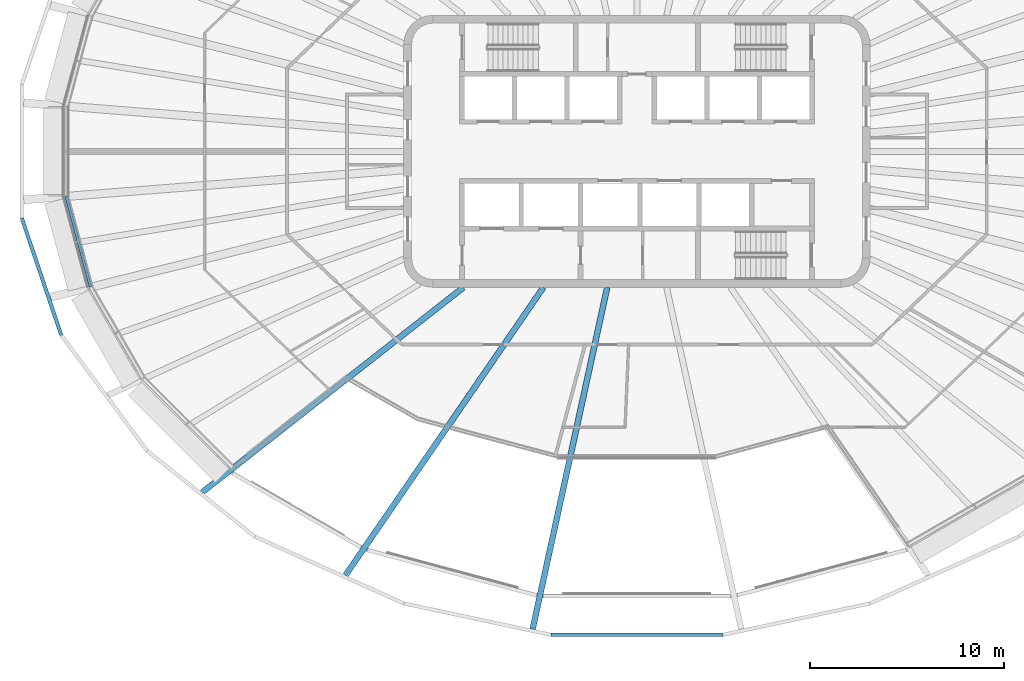
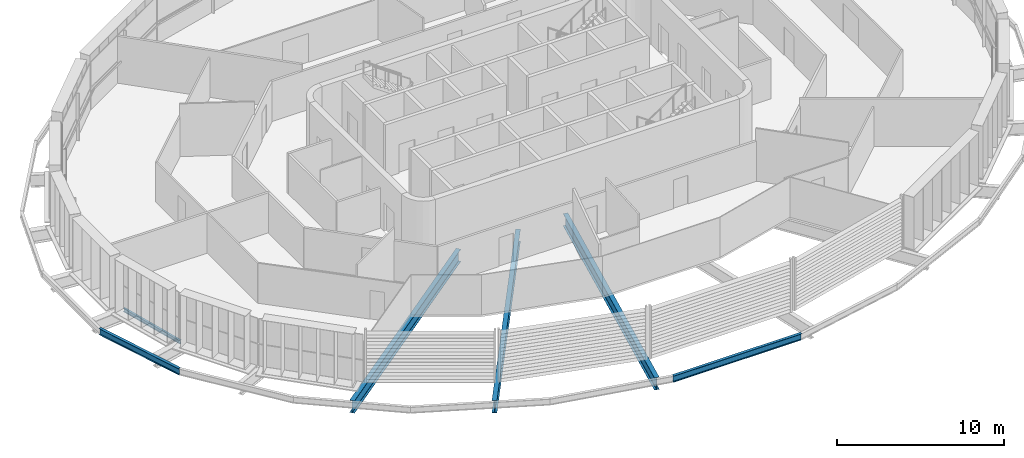
# One storey, part 2 of 19: 6 beams.
"""IFC4 building model written with IfcOpenShell, lengths in metres."""

import ifcopenshell
import ifcopenshell.guid

model = None  # the IFC model being written
_history = None  # IfcOwnerHistory: only IFC2X3 demands one
_inside = {}  # id of a spatial element -> (the spatial element, [elements in it])
_under = {}  # id of a project, library or spatial element -> (it, [spatial elements below it])
_declared = {}  # id of a project -> (the project, [libraries it declares])
_typed = {}  # id of a type object -> (the type object, [elements of that type])
_made_of = {}  # id of a material, layer set ... -> (it, [elements and type objects made of it])


def new_model(schema):
    """Start an empty IFC model of exactly this schema.

    Asked for "IFC4X3", IfcOpenShell would pick the latest addendum, in which some entities
    have other attributes; the version numbers below select the first issue.
    IFC2X3 requires an IfcOwnerHistory on every rooted entity: one is made here for all.
    """
    global model, _history
    if schema == "IFC4X3":
        model = ifcopenshell.file(schema_version=(4, 3, 0, 0))
    else:
        model = ifcopenshell.file(schema=schema)
    _inside.clear()
    _under.clear()
    _declared.clear()
    _typed.clear()
    _made_of.clear()
    _history = None
    if model.schema == "IFC2X3":
        org = make("IfcOrganization", Name="unknown")
        user = make(
            "IfcPersonAndOrganization",
            ThePerson=make("IfcPerson", FamilyName="unknown"),
            TheOrganization=org,
        )
        app = make(
            "IfcApplication",
            ApplicationDeveloper=org,
            Version="unknown",
            ApplicationFullName="unknown",
            ApplicationIdentifier="unknown",
        )
        _history = make(
            "IfcOwnerHistory",
            OwningUser=user,
            OwningApplication=app,
            ChangeAction="ADDED",
            CreationDate=0,
        )
    return model


def make(cls, **values):
    """One entity of the class cls with the attributes given. An attribute that is None is left unset."""
    return model.create_entity(
        cls, **{name: value for name, value in values.items() if value is not None}
    )


def rooted(cls, **values):
    """An entity with a GlobalId (a new one), such as an element, a storey or a relation."""
    return make(cls, GlobalId=ifcopenshell.guid.new(), OwnerHistory=_history, **values)


def si_unit(unit_type, name, prefix=None):
    """IfcSIUnit, for example si_unit("LENGTHUNIT", "METRE", prefix="MILLI")."""
    return make("IfcSIUnit", UnitType=unit_type, Prefix=prefix, Name=name)


def assignment(units):
    """IfcUnitAssignment: the units of a project."""
    return None if units is None else make("IfcUnitAssignment", Units=units)


def point(xyz):
    """IfcCartesianPoint."""
    return None if xyz is None else make("IfcCartesianPoint", Coordinates=xyz)


def direction(xyz):
    """IfcDirection."""
    return None if xyz is None else make("IfcDirection", DirectionRatios=xyz)


def frame(location, z_axis=None, x_axis=None):
    """IfcAxis2Placement3D, a coordinate frame: its origin and axes. An axis left out is left unset."""
    return make(
        "IfcAxis2Placement3D",
        Location=point(location),
        Axis=direction(z_axis),
        RefDirection=direction(x_axis),
    )


def frame_2d(location, x_axis=None):
    """IfcAxis2Placement2D, a coordinate frame in the plane: its origin and x axis."""
    return make(
        "IfcAxis2Placement2D", Location=point(location), RefDirection=direction(x_axis)
    )


def origin():
    """The frame at (0, 0, 0) with its axes left unset."""
    return frame((0.0, 0.0, 0.0))


def origin_2d():
    """The frame at (0, 0) in the plane with its x axis left unset."""
    return frame_2d((0.0, 0.0))


def place(relative_to, where):
    """IfcLocalPlacement: puts the frame where relative to a parent placement (None: the world)."""
    return make(
        "IfcLocalPlacement", PlacementRelTo=relative_to, RelativePlacement=where
    )


def context(
    kind, dimensions, precision=None, world=None, true_north=None, identifier=None
):
    """IfcGeometricRepresentationContext, for example the 3D "Model" context."""
    return make(
        "IfcGeometricRepresentationContext",
        ContextIdentifier=identifier,
        ContextType=kind,
        CoordinateSpaceDimension=dimensions,
        Precision=precision,
        WorldCoordinateSystem=world,
        TrueNorth=true_north,
    )


def subcontext(parent, identifier, kind, view, scale=None):
    """IfcGeometricRepresentationSubContext, for example "Body" below "Model"."""
    return make(
        "IfcGeometricRepresentationSubContext",
        ContextIdentifier=identifier,
        ContextType=kind,
        ParentContext=parent,
        TargetScale=scale,
        TargetView=view,
    )


def project(units=None, contexts=None):
    """IfcProject with its units and contexts."""
    return rooted(
        "IfcProject",
        Name="project",
        RepresentationContexts=contexts,
        UnitsInContext=assignment(units),
    )


def spatial(cls, under=None, at=None, **own):
    """A site, building, storey or space (cls), placed at a placement, below another one or the project."""
    s = rooted(cls, ObjectPlacement=at, **own)
    if under is not None:
        _under.setdefault(under.id(), (under, []))[1].append(s)
    return s


def profile(cls, at=None, kind="AREA", **sizes):
    """A parametric profile (cls). Its sizes go by their IFC names, for example OverallWidth=200.0."""
    return make(cls, ProfileType=kind, Position=at, **sizes)


def i_section(**sizes):
    """IfcIShapeProfileDef."""
    return profile("IfcIShapeProfileDef", **sizes)


def extrude(swept, where, along, depth):
    """IfcExtrudedAreaSolid: the profile swept, set in the frame where, extruded along a direction by depth."""
    return make(
        "IfcExtrudedAreaSolid",
        SweptArea=swept,
        Position=where,
        ExtrudedDirection=direction(along),
        Depth=depth,
    )


def shape(context_of_items, identifier, shape_type, items):
    """IfcShapeRepresentation: the items that make up one representation, for example the "Body"."""
    return make(
        "IfcShapeRepresentation",
        ContextOfItems=context_of_items,
        RepresentationIdentifier=identifier,
        RepresentationType=shape_type,
        Items=items,
    )


def material(Name=None, Category=None):
    """IfcMaterial."""
    return make("IfcMaterial", Name=Name, Category=Category)


def material_profile(
    of_material, cross_section, Name=None, Category=None, Priority=None
):
    """IfcMaterialProfile: a cross section and its material."""
    return make(
        "IfcMaterialProfile",
        Name=Name,
        Material=of_material,
        Profile=cross_section,
        Priority=Priority,
        Category=Category,
    )


def profile_set(profiles, Name=None, composite=None):
    """IfcMaterialProfileSet."""
    return make(
        "IfcMaterialProfileSet",
        Name=Name,
        MaterialProfiles=profiles,
        CompositeProfile=composite,
    )


def made_of(thing, what):
    """Note that an element or type object is made of a material, layer set ...; save() writes the relation."""
    if what is not None:
        _made_of.setdefault(what.id(), (what, []))[1].append(thing)
    return thing


def type_object(cls, material=None, **own):
    """A type object (cls), such as IfcWallType, which elements share."""
    return made_of(rooted(cls, **own), material)


def element(
    cls,
    number,
    at=None,
    inside=None,
    cuts=None,
    type_object=None,
    material=None,
    context=None,
    identifier="Body",
    shape_type=None,
    held_by="IfcProductDefinitionShape",
    body=None,
    shapes=None,
    **own,
):
    """One element of the class cls, such as IfcWall. Its Tag is "e" and its number.

    at: its placement. inside: the storey or other place that contains it. cuts: it is an
    opening in that element (IfcRelVoidsElement). A single representation is given by context,
    identifier, shape_type and body (its items); several are given by shapes. held_by: the class
    of the entity that holds the representations. save() writes the other relations.
    """
    e = rooted(cls, Tag="e%d" % number, ObjectPlacement=at, **own)
    if body is not None:
        shapes = [shape(context, identifier, shape_type, body)]
    if shapes is not None:
        e.Representation = make(held_by, Representations=shapes)
    if inside is not None:
        _inside.setdefault(inside.id(), (inside, []))[1].append(e)
    if cuts is not None:
        rooted(
            "IfcRelVoidsElement", RelatingBuildingElement=cuts, RelatedOpeningElement=e
        )
    if type_object is not None:
        _typed.setdefault(type_object.id(), (type_object, []))[1].append(e)
    return made_of(e, material)


def aggregate(whole, parts):
    """IfcRelAggregates: a whole, such as a stair, and the parts it consists of."""
    return rooted("IfcRelAggregates", RelatingObject=whole, RelatedObjects=parts)


def save(model, path):
    """Write the relations noted so far, then the file.

    IfcRelAggregates (storeys below a building ...), IfcRelContainedInSpatialStructure (elements
    in a storey), IfcRelDefinesByType, IfcRelAssociatesMaterial and IfcRelDeclares: one each for
    every whole, place, type object, material and project.
    """
    for whole, parts in _under.values():
        aggregate(whole, parts)
    for where, things in _inside.values():
        rooted(
            "IfcRelContainedInSpatialStructure",
            RelatedElements=things,
            RelatingStructure=where,
        )
    for kind, things in _typed.values():
        rooted("IfcRelDefinesByType", RelatedObjects=things, RelatingType=kind)
    for what, things in _made_of.values():
        rooted("IfcRelAssociatesMaterial", RelatedObjects=things, RelatingMaterial=what)
    for by, libraries in _declared.values():
        rooted("IfcRelDeclares", RelatingContext=by, RelatedDefinitions=libraries)
    model.write(path)


model = new_model("IFC4")

# Units and contexts
model_context = context("Model", 3, precision=1e-05, world=origin(), true_north=direction((0.0, 1.0)))
body_context = subcontext(model_context, "Body", "Model", "MODEL_VIEW")
ifc_project = project(units=[si_unit("LENGTHUNIT", "METRE"), si_unit("AREAUNIT", "SQUARE_METRE"), si_unit("VOLUMEUNIT", "CUBIC_METRE"), si_unit("PLANEANGLEUNIT", "RADIAN"), si_unit("MASSUNIT", "GRAM", prefix="KILO")], contexts=[model_context])

# Site, building, storey
site_placement = place(None, origin())
site = spatial("IfcSite", under=ifc_project, at=site_placement, CompositionType="ELEMENT")
building_placement = place(site_placement, origin())
building = spatial("IfcBuilding", under=site, at=building_placement, Name="Sahrelin Media Tower", CompositionType="ELEMENT")
storey_placement = place(building_placement, frame((0.0, 0.0, 275.0)))
storey = spatial("IfcBuildingStorey", under=building, at=storey_placement, Name="L60", CompositionType="ELEMENT", Elevation=275.0)

# Beams
ifc_material = material(Name="Steel S355", Category="steel")
ifc_material_profile_1 = material_profile(ifc_material, i_section(OverallWidth=0.14599609375, OverallDepth=0.25146484375, WebThickness=0.006103515625, FlangeThickness=0.008544921875, FilletRadius=0.007568359375, at=origin_2d()), Name="UB 254x146x31")
ifc_profile_set_1 = profile_set([ifc_material_profile_1], Name="Steel S355")
beam_type_1 = type_object("IfcBeamType", Name="Edge beam EB1", PredefinedType="BEAM", material=ifc_profile_set_1)
beam_1_placement = place(storey_placement, frame((-28.119384765625, -6.9580078125, -0.275634765625), z_axis=(-0.258809906332, 0.965928274969, 0.0), x_axis=(-0.965928274969, -0.258809906332, 0.0)))
element("IfcBeam", 1, at=beam_1_placement, inside=storey, type_object=beam_type_1, Name="Edge beam L60-08", PredefinedType="BEAM", context=body_context, shape_type="SweptSolid", body=[
    extrude(i_section(OverallWidth=0.14599609375, OverallDepth=0.25146484375, WebThickness=0.006103515625, FlangeThickness=0.008544921875, FilletRadius=0.007568359375, at=origin_2d()), origin(), (0.0, 0.0, 1.0), 4.7939453125),
])
ifc_material_profile_2 = material_profile(ifc_material, i_section(OverallWidth=0.30322265625, OverallDepth=0.903076171875, WebThickness=0.01513671875, FlangeThickness=0.020263671875, FilletRadius=0.01904296875, at=origin_2d()), Name="UB 914x305x201")
ifc_profile_set_2 = profile_set([ifc_material_profile_2], Name="Steel S355")
beam_type_2 = type_object("IfcBeamType", Name="Radial primary beam PB11", PredefinedType="BEAM", material=ifc_profile_set_2)
beam_2_placement = place(storey_placement, frame((-8.925537109375, -7.0, -0.6015625), z_axis=(-0.786867836982, -0.617121549716, 0.0), x_axis=(0.617121549716, -0.786867836982, 0.0)))
element("IfcBeam", 2, at=beam_2_placement, inside=storey, type_object=beam_type_2, Name="Radial beam L60-16", PredefinedType="BEAM", context=body_context, shape_type="SweptSolid", body=[
    extrude(i_section(OverallWidth=0.30322265625, OverallDepth=0.903076171875, WebThickness=0.01513671875, FlangeThickness=0.020263671875, FilletRadius=0.01904296875, at=origin_2d()), origin(), (0.0, 0.0, 1.0), 17.088134765625),
])
beam_3_placement = place(storey_placement, frame((-4.812255859375, -7.0, -0.6015625), z_axis=(-0.566497121099, -0.824063718281, 0.0), x_axis=(0.824063718281, -0.566497121099, 0.0)))
element("IfcBeam", 3, at=beam_3_placement, inside=storey, type_object=beam_type_2, Name="Radial beam L60-17", PredefinedType="BEAM", context=body_context, shape_type="SweptSolid", body=[
    extrude(i_section(OverallWidth=0.30322265625, OverallDepth=0.903076171875, WebThickness=0.01513671875, FlangeThickness=0.020263671875, FilletRadius=0.01904296875, at=origin_2d()), origin(), (0.0, 0.0, 1.0), 17.976318359375),
])
beam_4_placement = place(storey_placement, frame((-1.528076171875, -7.0, -0.6015625), z_axis=(-0.213278915019, -0.976991353292, 0.0), x_axis=(0.976991353292, -0.213278915019, 0.0)))
element("IfcBeam", 4, at=beam_4_placement, inside=storey, type_object=beam_type_2, Name="Radial beam L60-18", PredefinedType="BEAM", context=body_context, shape_type="SweptSolid", body=[
    extrude(i_section(OverallWidth=0.30322265625, OverallDepth=0.903076171875, WebThickness=0.01513671875, FlangeThickness=0.020263671875, FilletRadius=0.01904296875, at=origin_2d()), origin(), (0.0, 0.0, 1.0), 17.995849609375),
])
ifc_material_profile_3 = material_profile(ifc_material, i_section(OverallWidth=0.1904296875, OverallDepth=0.45703125, WebThickness=0.009033203125, FlangeThickness=0.014404296875, FilletRadius=0.01025390625, at=origin_2d()), Name="UB 457x191x74")
ifc_profile_set_3 = profile_set([ifc_material_profile_3], Name="Steel S355")
beam_type_3 = type_object("IfcBeamType", Name="Tie chord TC5", PredefinedType="BEAM", material=ifc_profile_set_3)
beam_5_placement = place(storey_placement, frame((-31.650146484375, -3.4384765625, -0.37841796875), z_axis=(0.318923237503, -0.947780548745, 0.0), x_axis=(0.947780548745, 0.318923237503, 0.0)))
element("IfcBeam", 5, at=beam_5_placement, inside=storey, type_object=beam_type_3, Name="Tie chord L60-13", PredefinedType="BEAM", context=body_context, shape_type="SweptSolid", body=[
    extrude(i_section(OverallWidth=0.1904296875, OverallDepth=0.45703125, WebThickness=0.009033203125, FlangeThickness=0.014404296875, FilletRadius=0.01025390625, at=origin_2d()), origin(), (0.0, 0.0, 1.0), 6.355224609375),
])
beam_6_placement = place(storey_placement, frame((-4.427001953125, -24.879638671875, -0.37841796875), z_axis=(1.0, 0.0, 0.0), x_axis=(0.0, 1.0, 0.0)))
element("IfcBeam", 6, at=beam_6_placement, inside=storey, type_object=beam_type_3, Name="Tie chord L60-18", PredefinedType="BEAM", context=body_context, shape_type="SweptSolid", body=[
    extrude(i_section(OverallWidth=0.1904296875, OverallDepth=0.45703125, WebThickness=0.009033203125, FlangeThickness=0.014404296875, FilletRadius=0.01025390625, at=origin_2d()), origin(), (0.0, 0.0, 1.0), 8.85400390625),
])

save(model, "model.ifc")
